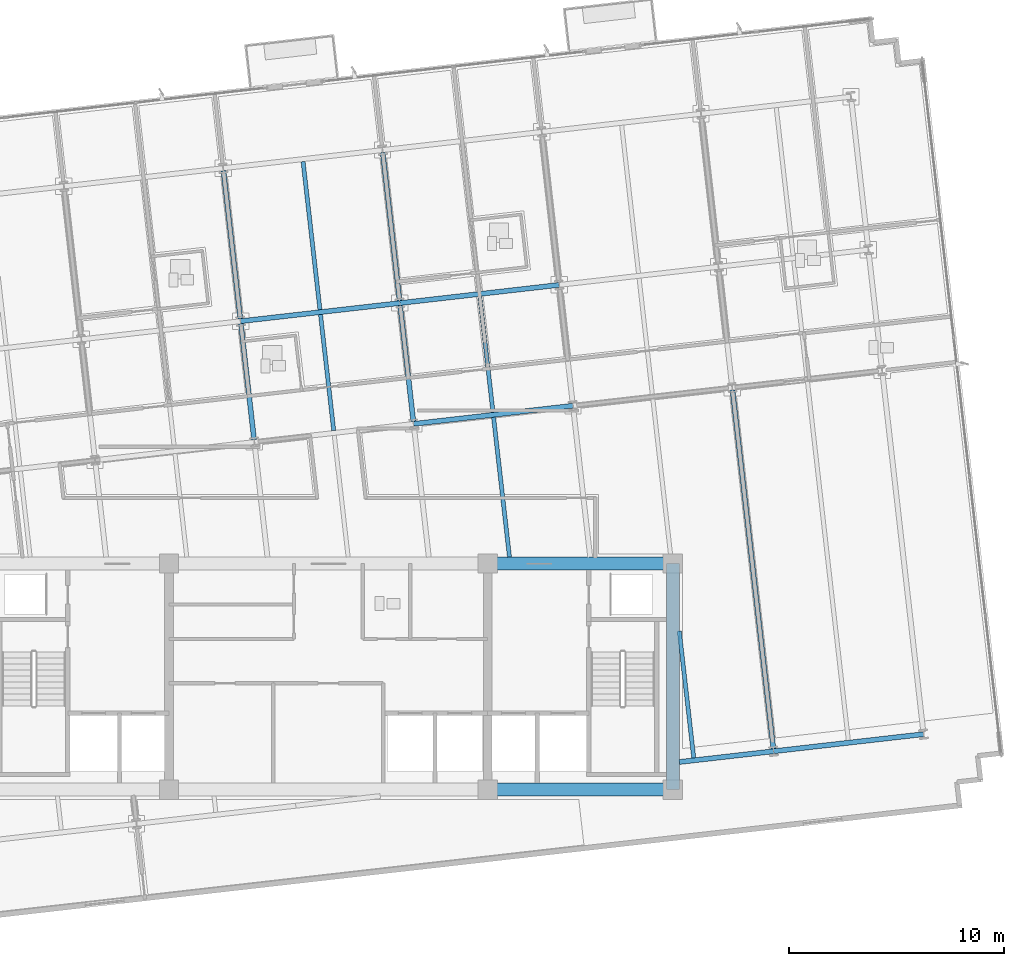
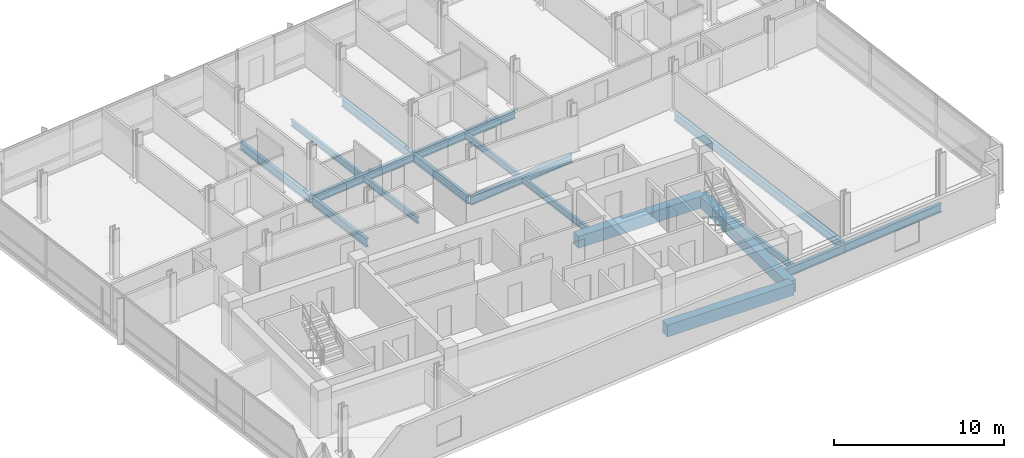
# One storey, part 3 of 16: 18 beams.
"""IFC4 building model written with IfcOpenShell, lengths in metres."""

from ifc_helpers import new_model, si_unit, direction, frame, origin, origin_2d, place, context, subcontext, project, spatial, rectangle, i_section, extrude, material, material_profile, profile_set, type_object, element, save


model = new_model("IFC4")

# Units and contexts
model_context = context("Model", 3, precision=1e-05, world=origin(), true_north=direction((0.0, 1.0)))
body_context = subcontext(model_context, "Body", "Model", "MODEL_VIEW")
ifc_project = project(units=[si_unit("LENGTHUNIT", "METRE"), si_unit("AREAUNIT", "SQUARE_METRE"), si_unit("VOLUMEUNIT", "CUBIC_METRE"), si_unit("PLANEANGLEUNIT", "RADIAN"), si_unit("MASSUNIT", "GRAM", prefix="KILO")], contexts=[model_context])

# Site, building, storey
site_placement = place(None, origin())
site = spatial("IfcSite", under=ifc_project, at=site_placement, CompositionType="ELEMENT")
building_placement = place(site_placement, origin())
building = spatial("IfcBuilding", under=site, at=building_placement, Name="Solmavex Isthmus Hotel", CompositionType="ELEMENT")
storey_placement = place(building_placement, frame((0.0, 0.0, 208.949951171875)))
storey = spatial("IfcBuildingStorey", under=building, at=storey_placement, Name="L56", CompositionType="ELEMENT", Elevation=208.949951171875)

# Beams
ifc_material_1 = material(Name="Steel ASTM A992 Grade 50", Category="steel")
ifc_material_profile_1 = material_profile(ifc_material_1, i_section(OverallWidth=0.1904296875, OverallDepth=0.456787109375, WebThickness=0.009033203125, FlangeThickness=0.014404296875, FilletRadius=0.0126953125, at=origin_2d()), Name="W18X50")
ifc_profile_set_1 = profile_set([ifc_material_profile_1], Name="Steel ASTM A992 Grade 50")
beam_type_1 = type_object("IfcBeamType", Name="BM-BJ-W18X50", PredefinedType="JOIST", material=ifc_profile_set_1)
beam_1_placement = place(storey_placement, frame((0.250244140625, 3.67822265625, -0.48828125), z_axis=(-0.113194691868, 0.993572826587, 0.0), x_axis=(-0.993572826587, -0.113194691868, 0.0)))
element("IfcBeam", 1, at=beam_1_placement, inside=storey, type_object=beam_type_1, Name="Secondary Floor Joist L56-J10", PredefinedType="JOIST", context=body_context, shape_type="SweptSolid", body=[
    extrude(i_section(OverallWidth=0.1904296875, OverallDepth=0.456787109375, WebThickness=0.009033203125, FlangeThickness=0.014404296875, FilletRadius=0.0126953125, at=origin_2d()), origin(), (0.0, 0.0, 1.0), 5.420166015625),
])
beam_2_placement = place(storey_placement, frame((-0.38916015625, 9.289794921875, -0.48828125), z_axis=(-0.113202453846, 0.993571942258, 0.0), x_axis=(-0.993571942258, -0.113202453846, 0.0)))
element("IfcBeam", 2, at=beam_2_placement, inside=storey, type_object=beam_type_1, Name="Secondary Floor Joist L56-J11", PredefinedType="JOIST", context=body_context, shape_type="SweptSolid", body=[
    extrude(i_section(OverallWidth=0.1904296875, OverallDepth=0.456787109375, WebThickness=0.009033203125, FlangeThickness=0.014404296875, FilletRadius=0.0126953125, at=origin_2d()), origin(), (0.0, 0.0, 1.0), 6.9228515625),
])
beam_3_placement = place(storey_placement, frame((8.414306640625, -2.199951171875, -0.48828125), z_axis=(-0.113206345873, 0.993571498813, 0.0), x_axis=(-0.993571498813, -0.113206345873, 0.0)))
element("IfcBeam", 3, at=beam_3_placement, inside=storey, type_object=beam_type_1, Name="Secondary Floor Joist L56-J12", PredefinedType="JOIST", context=body_context, shape_type="SweptSolid", body=[
    extrude(i_section(OverallWidth=0.1904296875, OverallDepth=0.456787109375, WebThickness=0.009033203125, FlangeThickness=0.014404296875, FilletRadius=0.0126953125, at=origin_2d()), origin(), (0.0, 0.0, 1.0), 6.53662109375),
])
beam_4_placement = place(storey_placement, frame((7.6484375, 4.521240234375, -0.48828125), z_axis=(-0.113194691868, 0.993572826587, 0.0), x_axis=(-0.993572826587, -0.113194691868, 0.0)))
element("IfcBeam", 4, at=beam_4_placement, inside=storey, type_object=beam_type_1, Name="Secondary Floor Joist L56-J13", PredefinedType="JOIST", context=body_context, shape_type="SweptSolid", body=[
    extrude(i_section(OverallWidth=0.1904296875, OverallDepth=0.456787109375, WebThickness=0.009033203125, FlangeThickness=0.014404296875, FilletRadius=0.0126953125, at=origin_2d()), origin(), (0.0, 0.0, 1.0), 5.420166015625),
])
beam_5_placement = place(storey_placement, frame((16.970947265625, -11.525390625, -0.48828125), z_axis=(-0.113202687678, 0.993571915617, 0.0), x_axis=(-0.993571915617, -0.113202687678, 0.0)))
element("IfcBeam", 5, at=beam_5_placement, inside=storey, type_object=beam_type_1, Name="Secondary Floor Joist L56-J15", PredefinedType="JOIST", context=body_context, shape_type="SweptSolid", body=[
    extrude(i_section(OverallWidth=0.1904296875, OverallDepth=0.456787109375, WebThickness=0.009033203125, FlangeThickness=0.014404296875, FilletRadius=0.0126953125, at=origin_2d()), origin(), (0.0, 0.0, 1.0), 5.926513671875),
])
ifc_material_profile_2 = material_profile(ifc_material_1, i_section(OverallWidth=0.227783203125, OverallDepth=0.602783203125, WebThickness=0.010498046875, FlangeThickness=0.014892578125, FilletRadius=0.01513671875, at=origin_2d()), Name="W24X68")
ifc_profile_set_2 = profile_set([ifc_material_profile_2], Name="Steel ASTM A992 Grade 50")
beam_type_2 = type_object("IfcBeamType", Name="BM-BM-W24X68", PredefinedType="BEAM", material=ifc_profile_set_2)
for number, where, z_axis, x_axis, name in (
    (6, (3.962158203125, 3.986572265625, -0.561279296875), (0.993574034044, 0.113184092846, 0.0), (-0.113184092846, 0.993574034044, 0.0), "Floor Girder L56-UG09"),
    (7, (-4.0751953125, 8.75537109375, -0.561279296875), (0.993574034044, 0.113184092846, 0.0), (-0.113184092846, 0.993574034044, 0.0), "Floor Girder L56-UG14"),
):
    element("IfcBeam", number, at=place(storey_placement, frame(where, z_axis=z_axis, x_axis=x_axis)), inside=storey, type_object=beam_type_2, Name=name, PredefinedType="BEAM", context=body_context, shape_type="SweptSolid", body=[
        extrude(i_section(OverallWidth=0.227783203125, OverallDepth=0.602783203125, WebThickness=0.010498046875, FlangeThickness=0.014892578125, FilletRadius=0.01513671875, at=origin_2d()), origin(), (0.0, 0.0, 1.0), 7.446044921875),
    ])
beam_6_placement = place(storey_placement, frame((3.322998046875, 9.59814453125, -0.561279296875), z_axis=(0.993569926006, 0.113220148984, 0.0), x_axis=(-0.113220148984, 0.993569926006, 0.0)))
element("IfcBeam", 8, at=beam_6_placement, inside=storey, type_object=beam_type_2, Name="Floor Girder L56-UG15", PredefinedType="BEAM", context=body_context, shape_type="SweptSolid", body=[
    extrude(i_section(OverallWidth=0.227783203125, OverallDepth=0.602783203125, WebThickness=0.010498046875, FlangeThickness=0.014892578125, FilletRadius=0.01513671875, at=origin_2d()), origin(), (0.0, 0.0, 1.0), 7.44580078125),
])
beam_7_placement = place(storey_placement, frame((-3.44873046875, 3.2568359375, -0.561279296875), z_axis=(-0.113194691868, 0.993572826587, 0.0), x_axis=(-0.993572826587, -0.113194691868, 0.0)))
element("IfcBeam", 9, at=beam_7_placement, inside=storey, type_object=beam_type_2, Name="Floor Beam L56-VG32", PredefinedType="BEAM", context=body_context, shape_type="SweptSolid", body=[
    extrude(i_section(OverallWidth=0.227783203125, OverallDepth=0.602783203125, WebThickness=0.010498046875, FlangeThickness=0.014892578125, FilletRadius=0.01513671875, at=origin_2d()), origin(), (0.0, 0.0, 1.0), 5.420166015625),
])
beam_8_placement = place(storey_placement, frame((-4.088134765625, 8.868408203125, -0.561279296875), z_axis=(-0.113202453846, 0.993571942258, 0.0), x_axis=(-0.993571942258, -0.113202453846, 0.0)))
element("IfcBeam", 10, at=beam_8_placement, inside=storey, type_object=beam_type_2, Name="Floor Beam L56-VG33", PredefinedType="BEAM", context=body_context, shape_type="SweptSolid", body=[
    extrude(i_section(OverallWidth=0.227783203125, OverallDepth=0.602783203125, WebThickness=0.010498046875, FlangeThickness=0.014892578125, FilletRadius=0.01513671875, at=origin_2d()), origin(), (0.0, 0.0, 1.0), 6.9228515625),
])
beam_9_placement = place(storey_placement, frame((3.949462890625, 4.099609375, -0.561279296875), z_axis=(-0.113234090386, 0.993568337244, 0.0), x_axis=(-0.993568337244, -0.113234090386, 0.0)))
element("IfcBeam", 11, at=beam_9_placement, inside=storey, type_object=beam_type_2, Name="Floor Beam L56-VG35", PredefinedType="BEAM", context=body_context, shape_type="SweptSolid", body=[
    extrude(i_section(OverallWidth=0.227783203125, OverallDepth=0.602783203125, WebThickness=0.010498046875, FlangeThickness=0.014892578125, FilletRadius=0.01513671875, at=origin_2d()), origin(), (0.0, 0.0, 1.0), 5.42041015625),
])
beam_10_placement = place(storey_placement, frame((3.31005859375, 9.71142578125, -0.561279296875), z_axis=(-0.113202453846, 0.993571942258, 0.0), x_axis=(-0.993571942258, -0.113202453846, 0.0)))
element("IfcBeam", 12, at=beam_10_placement, inside=storey, type_object=beam_type_2, Name="Floor Beam L56-VG36", PredefinedType="BEAM", context=body_context, shape_type="SweptSolid", body=[
    extrude(i_section(OverallWidth=0.227783203125, OverallDepth=0.602783203125, WebThickness=0.010498046875, FlangeThickness=0.014892578125, FilletRadius=0.01513671875, at=origin_2d()), origin(), (0.0, 0.0, 1.0), 6.9228515625),
])
beam_11_placement = place(storey_placement, frame((20.669921875, -11.10400390625, -0.561279296875), z_axis=(-0.113198426291, 0.993572401129, 0.0), x_axis=(-0.993572401129, -0.113198426291, 0.0)))
element("IfcBeam", 13, at=beam_11_placement, inside=storey, type_object=beam_type_2, Name="Floor Beam L56-VG40", PredefinedType="BEAM", context=body_context, shape_type="SweptSolid", body=[
    extrude(i_section(OverallWidth=0.227783203125, OverallDepth=0.602783203125, WebThickness=0.010498046875, FlangeThickness=0.014892578125, FilletRadius=0.01513671875, at=origin_2d()), origin(), (0.0, 0.0, 1.0), 16.77099609375),
])
ifc_material_2 = material(Name="Concrete C50/60", Category="concrete")
ifc_material_profile_3 = material_profile(ifc_material_2, rectangle(XDim=0.60009765625, YDim=0.85009765625, at=origin_2d()), Name="RC600X850")
ifc_profile_set_3 = profile_set([ifc_material_profile_3], Name="Concrete C50/60")
beam_type_3 = type_object("IfcBeamType", Name="BM-CB-600X850", PredefinedType="BEAM", material=ifc_profile_set_3)
for number, where, z_axis, x_axis, name in (
    (14, (7.39990234375, -13.0, -0.68505859375), (1.0, 0.0, 0.0), (0.0, 1.0, 0.0), "Core Coupling Beam L56-CB3"),
    (15, (7.39990234375, -2.5, -0.68505859375), (1.0, 0.0, 0.0), (0.0, 1.0, 0.0), "Core Coupling Beam L56-CB6"),
):
    element("IfcBeam", number, at=place(storey_placement, frame(where, z_axis=z_axis, x_axis=x_axis)), inside=storey, type_object=beam_type_3, Name=name, PredefinedType="BEAM", context=body_context, shape_type="SweptSolid", body=[
        extrude(rectangle(XDim=0.60009765625, YDim=0.85009765625, at=origin_2d()), origin(), (0.0, 0.0, 1.0), 8.60009765625),
    ])
beam_12_placement = place(storey_placement, frame((16.0, -13.0, -0.68505859375), z_axis=(0.0, 1.0, 0.0), x_axis=(-1.0, 0.0, 0.0)))
element("IfcBeam", 16, at=beam_12_placement, inside=storey, type_object=beam_type_3, Name="Core Coupling Beam L56-CB8", PredefinedType="BEAM", context=body_context, shape_type="SweptSolid", body=[
    extrude(rectangle(XDim=0.60009765625, YDim=0.85009765625, at=origin_2d()), origin(), (0.0, 0.0, 1.0), 10.5),
])
ifc_material_profile_4 = material_profile(ifc_material_1, i_section(OverallWidth=0.230224609375, OverallDepth=0.617431640625, WebThickness=0.01318359375, FlangeThickness=0.022216796875, FilletRadius=0.01513671875, at=origin_2d()), Name="W24X94")
ifc_profile_set_4 = profile_set([ifc_material_profile_4], Name="Steel ASTM A992 Grade 50")
beam_type_4 = type_object("IfcBeamType", Name="BM-SP-W24X94", PredefinedType="SPANDREL", material=ifc_profile_set_4)
beam_13_placement = place(storey_placement, frame((16.300048828125, -11.7177734375, -0.568603515625), z_axis=(0.993574880398, 0.113176662976, 0.0), x_axis=(-0.113176662976, 0.993574880398, 0.0)))
element("IfcBeam", 17, at=beam_13_placement, inside=storey, type_object=beam_type_4, Name="Floor Girder L56-UG04", PredefinedType="SPANDREL", context=body_context, shape_type="SweptSolid", body=[
    extrude(i_section(OverallWidth=0.230224609375, OverallDepth=0.617431640625, WebThickness=0.01318359375, FlangeThickness=0.022216796875, FilletRadius=0.01513671875, at=origin_2d()), origin(), (0.0, 0.0, 1.0), 4.411376953125),
])
beam_14_placement = place(storey_placement, frame((20.68310546875, -11.218505859375, -0.568603515625), z_axis=(0.993569675103, 0.113222350774, 0.0), x_axis=(-0.113222350774, 0.993569675103, 0.0)))
element("IfcBeam", 18, at=beam_14_placement, inside=storey, type_object=beam_type_4, Name="Floor Girder L56-UG05", PredefinedType="SPANDREL", context=body_context, shape_type="SweptSolid", body=[
    extrude(i_section(OverallWidth=0.230224609375, OverallDepth=0.617431640625, WebThickness=0.01318359375, FlangeThickness=0.022216796875, FilletRadius=0.01513671875, at=origin_2d()), origin(), (0.0, 0.0, 1.0), 7.008056640625),
])

save(model, "model.ifc")
